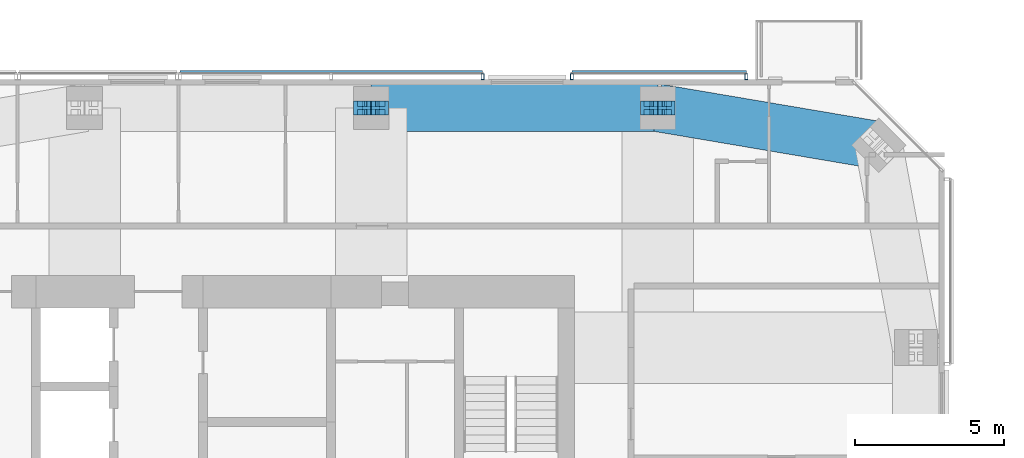
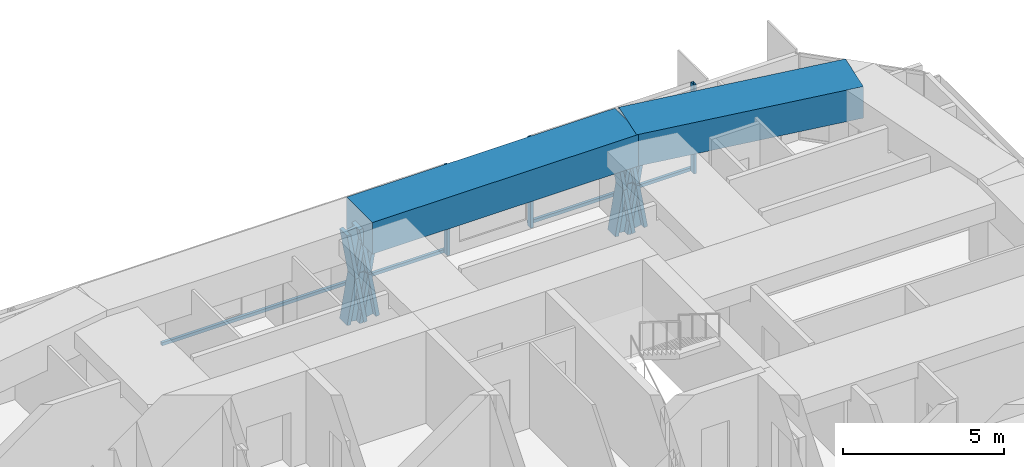
# One storey, part 10 of 18: 13 members, 2 beams, 2 elements without a shape of their own.
"""IFC4 building model written with IfcOpenShell, lengths in metres."""

import ifcopenshell
import ifcopenshell.guid

model = None  # the IFC model being written
_history = None  # IfcOwnerHistory: only IFC2X3 demands one
_inside = {}  # id of a spatial element -> (the spatial element, [elements in it])
_under = {}  # id of a project, library or spatial element -> (it, [spatial elements below it])
_declared = {}  # id of a project -> (the project, [libraries it declares])
_typed = {}  # id of a type object -> (the type object, [elements of that type])
_made_of = {}  # id of a material, layer set ... -> (it, [elements and type objects made of it])


def new_model(schema):
    """Start an empty IFC model of exactly this schema.

    Asked for "IFC4X3", IfcOpenShell would pick the latest addendum, in which some entities
    have other attributes; the version numbers below select the first issue.
    IFC2X3 requires an IfcOwnerHistory on every rooted entity: one is made here for all.
    """
    global model, _history
    if schema == "IFC4X3":
        model = ifcopenshell.file(schema_version=(4, 3, 0, 0))
    else:
        model = ifcopenshell.file(schema=schema)
    _inside.clear()
    _under.clear()
    _declared.clear()
    _typed.clear()
    _made_of.clear()
    _history = None
    if model.schema == "IFC2X3":
        org = make("IfcOrganization", Name="unknown")
        user = make(
            "IfcPersonAndOrganization",
            ThePerson=make("IfcPerson", FamilyName="unknown"),
            TheOrganization=org,
        )
        app = make(
            "IfcApplication",
            ApplicationDeveloper=org,
            Version="unknown",
            ApplicationFullName="unknown",
            ApplicationIdentifier="unknown",
        )
        _history = make(
            "IfcOwnerHistory",
            OwningUser=user,
            OwningApplication=app,
            ChangeAction="ADDED",
            CreationDate=0,
        )
    return model


def make(cls, **values):
    """One entity of the class cls with the attributes given. An attribute that is None is left unset."""
    return model.create_entity(
        cls, **{name: value for name, value in values.items() if value is not None}
    )


def rooted(cls, **values):
    """An entity with a GlobalId (a new one), such as an element, a storey or a relation."""
    return make(cls, GlobalId=ifcopenshell.guid.new(), OwnerHistory=_history, **values)


def si_unit(unit_type, name, prefix=None):
    """IfcSIUnit, for example si_unit("LENGTHUNIT", "METRE", prefix="MILLI")."""
    return make("IfcSIUnit", UnitType=unit_type, Prefix=prefix, Name=name)


def assignment(units):
    """IfcUnitAssignment: the units of a project."""
    return None if units is None else make("IfcUnitAssignment", Units=units)


def point(xyz):
    """IfcCartesianPoint."""
    return None if xyz is None else make("IfcCartesianPoint", Coordinates=xyz)


def direction(xyz):
    """IfcDirection."""
    return None if xyz is None else make("IfcDirection", DirectionRatios=xyz)


def frame(location, z_axis=None, x_axis=None):
    """IfcAxis2Placement3D, a coordinate frame: its origin and axes. An axis left out is left unset."""
    return make(
        "IfcAxis2Placement3D",
        Location=point(location),
        Axis=direction(z_axis),
        RefDirection=direction(x_axis),
    )


def frame_2d(location, x_axis=None):
    """IfcAxis2Placement2D, a coordinate frame in the plane: its origin and x axis."""
    return make(
        "IfcAxis2Placement2D", Location=point(location), RefDirection=direction(x_axis)
    )


def origin():
    """The frame at (0, 0, 0) with its axes left unset."""
    return frame((0.0, 0.0, 0.0))


def origin_2d():
    """The frame at (0, 0) in the plane with its x axis left unset."""
    return frame_2d((0.0, 0.0))


def place(relative_to, where):
    """IfcLocalPlacement: puts the frame where relative to a parent placement (None: the world)."""
    return make(
        "IfcLocalPlacement", PlacementRelTo=relative_to, RelativePlacement=where
    )


def context(
    kind, dimensions, precision=None, world=None, true_north=None, identifier=None
):
    """IfcGeometricRepresentationContext, for example the 3D "Model" context."""
    return make(
        "IfcGeometricRepresentationContext",
        ContextIdentifier=identifier,
        ContextType=kind,
        CoordinateSpaceDimension=dimensions,
        Precision=precision,
        WorldCoordinateSystem=world,
        TrueNorth=true_north,
    )


def subcontext(parent, identifier, kind, view, scale=None):
    """IfcGeometricRepresentationSubContext, for example "Body" below "Model"."""
    return make(
        "IfcGeometricRepresentationSubContext",
        ContextIdentifier=identifier,
        ContextType=kind,
        ParentContext=parent,
        TargetScale=scale,
        TargetView=view,
    )


def project(units=None, contexts=None):
    """IfcProject with its units and contexts."""
    return rooted(
        "IfcProject",
        Name="project",
        RepresentationContexts=contexts,
        UnitsInContext=assignment(units),
    )


def spatial(cls, under=None, at=None, **own):
    """A site, building, storey or space (cls), placed at a placement, below another one or the project."""
    s = rooted(cls, ObjectPlacement=at, **own)
    if under is not None:
        _under.setdefault(under.id(), (under, []))[1].append(s)
    return s


def profile(cls, at=None, kind="AREA", **sizes):
    """A parametric profile (cls). Its sizes go by their IFC names, for example OverallWidth=200.0."""
    return make(cls, ProfileType=kind, Position=at, **sizes)


def rectangle(**sizes):
    """IfcRectangleProfileDef."""
    return profile("IfcRectangleProfileDef", **sizes)


def hollow_rectangle(**sizes):
    """IfcRectangleHollowProfileDef."""
    return profile("IfcRectangleHollowProfileDef", **sizes)


def i_section(**sizes):
    """IfcIShapeProfileDef."""
    return profile("IfcIShapeProfileDef", **sizes)


def extrude(swept, where, along, depth):
    """IfcExtrudedAreaSolid: the profile swept, set in the frame where, extruded along a direction by depth."""
    return make(
        "IfcExtrudedAreaSolid",
        SweptArea=swept,
        Position=where,
        ExtrudedDirection=direction(along),
        Depth=depth,
    )


def shape(context_of_items, identifier, shape_type, items):
    """IfcShapeRepresentation: the items that make up one representation, for example the "Body"."""
    return make(
        "IfcShapeRepresentation",
        ContextOfItems=context_of_items,
        RepresentationIdentifier=identifier,
        RepresentationType=shape_type,
        Items=items,
    )


def material(Name=None, Category=None):
    """IfcMaterial."""
    return make("IfcMaterial", Name=Name, Category=Category)


def material_profile(
    of_material, cross_section, Name=None, Category=None, Priority=None
):
    """IfcMaterialProfile: a cross section and its material."""
    return make(
        "IfcMaterialProfile",
        Name=Name,
        Material=of_material,
        Profile=cross_section,
        Priority=Priority,
        Category=Category,
    )


def profile_set(profiles, Name=None, composite=None):
    """IfcMaterialProfileSet."""
    return make(
        "IfcMaterialProfileSet",
        Name=Name,
        MaterialProfiles=profiles,
        CompositeProfile=composite,
    )


def made_of(thing, what):
    """Note that an element or type object is made of a material, layer set ...; save() writes the relation."""
    if what is not None:
        _made_of.setdefault(what.id(), (what, []))[1].append(thing)
    return thing


def type_object(cls, material=None, **own):
    """A type object (cls), such as IfcWallType, which elements share."""
    return made_of(rooted(cls, **own), material)


def element(
    cls,
    number,
    at=None,
    inside=None,
    cuts=None,
    type_object=None,
    material=None,
    context=None,
    identifier="Body",
    shape_type=None,
    held_by="IfcProductDefinitionShape",
    body=None,
    shapes=None,
    **own,
):
    """One element of the class cls, such as IfcWall. Its Tag is "e" and its number.

    at: its placement. inside: the storey or other place that contains it. cuts: it is an
    opening in that element (IfcRelVoidsElement). A single representation is given by context,
    identifier, shape_type and body (its items); several are given by shapes. held_by: the class
    of the entity that holds the representations. save() writes the other relations.
    """
    e = rooted(cls, Tag="e%d" % number, ObjectPlacement=at, **own)
    if body is not None:
        shapes = [shape(context, identifier, shape_type, body)]
    if shapes is not None:
        e.Representation = make(held_by, Representations=shapes)
    if inside is not None:
        _inside.setdefault(inside.id(), (inside, []))[1].append(e)
    if cuts is not None:
        rooted(
            "IfcRelVoidsElement", RelatingBuildingElement=cuts, RelatedOpeningElement=e
        )
    if type_object is not None:
        _typed.setdefault(type_object.id(), (type_object, []))[1].append(e)
    return made_of(e, material)


def aggregate(whole, parts):
    """IfcRelAggregates: a whole, such as a stair, and the parts it consists of."""
    return rooted("IfcRelAggregates", RelatingObject=whole, RelatedObjects=parts)


def save(model, path):
    """Write the relations noted so far, then the file.

    IfcRelAggregates (storeys below a building ...), IfcRelContainedInSpatialStructure (elements
    in a storey), IfcRelDefinesByType, IfcRelAssociatesMaterial and IfcRelDeclares: one each for
    every whole, place, type object, material and project.
    """
    for whole, parts in _under.values():
        aggregate(whole, parts)
    for where, things in _inside.values():
        rooted(
            "IfcRelContainedInSpatialStructure",
            RelatedElements=things,
            RelatingStructure=where,
        )
    for kind, things in _typed.values():
        rooted("IfcRelDefinesByType", RelatedObjects=things, RelatingType=kind)
    for what, things in _made_of.values():
        rooted("IfcRelAssociatesMaterial", RelatedObjects=things, RelatingMaterial=what)
    for by, libraries in _declared.values():
        rooted("IfcRelDeclares", RelatingContext=by, RelatedDefinitions=libraries)
    model.write(path)


model = new_model("IFC4")

# Units and contexts
model_context = context("Model", 3, precision=1e-05, world=origin(), true_north=direction((0.0, 1.0)))
body_context = subcontext(model_context, "Body", "Model", "MODEL_VIEW")
ifc_project = project(units=[si_unit("LENGTHUNIT", "METRE"), si_unit("AREAUNIT", "SQUARE_METRE"), si_unit("VOLUMEUNIT", "CUBIC_METRE"), si_unit("PLANEANGLEUNIT", "RADIAN"), si_unit("MASSUNIT", "GRAM", prefix="KILO")], contexts=[model_context])

# Site, building, storey
site_placement = place(None, origin())
site = spatial("IfcSite", under=ifc_project, at=site_placement, CompositionType="ELEMENT")
building_placement = place(site_placement, origin())
building = spatial("IfcBuilding", under=site, at=building_placement, Name="Jalousie Tower", CompositionType="ELEMENT")
storey_placement = place(building_placement, frame((0.0, 0.0, 249.449951171875)))
storey = spatial("IfcBuildingStorey", under=building, at=storey_placement, Name="L68", CompositionType="ELEMENT", Elevation=249.449951171875)

# Members
ifc_material_1 = material(Name="Steel ASTM A992 Grade 50", Category="steel")
ifc_material_profile_1 = material_profile(ifc_material_1, i_section(OverallWidth=0.472412109375, OverallDepth=0.5791015625, WebThickness=0.094970703125, FlangeThickness=0.1298828125, at=origin_2d()), Name="W14X808")
ifc_profile_set_1 = profile_set([ifc_material_profile_1], Name="Steel ASTM A992 Grade 50")
member_type_1 = type_object("IfcMemberType", Name="PERIMETER BRACE W14X808", PredefinedType="BRACE", material=ifc_profile_set_1)
for number, where, z_axis, x_axis, name in (
    (1, (46.574951171875, 33.050048828125, -0.599853515625), (0.168990530437, 0.0, 0.98561767467), (0.0, 1.0, 0.0), "Perimeter brace 09 L68 part 1"),
    (2, (46.875, 33.050048828125, 1.150146484375), (0.168990530437, 0.0, 0.98561767467), (0.0, 1.0, 0.0), "Perimeter brace 09 L68 part 2"),
    (3, (47.175048828125, 33.050048828125, -0.599853515625), (-0.168990530437, 0.0, 0.98561767467), (0.0, -1.0, 0.0), "Perimeter brace 09 L68 part 3"),
    (4, (46.875, 33.050048828125, 1.150146484375), (-0.168990530437, 0.0, 0.98561767467), (0.0, -1.0, 0.0), "Perimeter brace 09 L68 part 4"),
    (5, (36.949951171875, 33.050048828125, -0.599853515625), (0.168990530437, 0.0, 0.98561767467), (0.0, 1.0, 0.0), "Perimeter brace 10 L68 part 1"),
    (6, (37.25, 33.050048828125, 1.150146484375), (0.168990530437, 0.0, 0.98561767467), (0.0, 1.0, 0.0), "Perimeter brace 10 L68 part 2"),
    (7, (37.550048828125, 33.050048828125, -0.599853515625), (-0.168990530437, 0.0, 0.98561767467), (0.0, -1.0, 0.0), "Perimeter brace 10 L68 part 3"),
    (8, (37.25, 33.050048828125, 1.150146484375), (-0.168990530437, 0.0, 0.98561767467), (0.0, -1.0, 0.0), "Perimeter brace 10 L68 part 4"),
):
    element("IfcMember", number, at=place(storey_placement, frame(where, z_axis=z_axis, x_axis=x_axis)), inside=storey, type_object=member_type_1, Name=name, PredefinedType="BRACE", context=body_context, shape_type="SweptSolid", body=[
        extrude(i_section(OverallWidth=0.472412109375, OverallDepth=0.5791015625, WebThickness=0.094970703125, FlangeThickness=0.1298828125, at=origin_2d()), origin(), (0.0, 0.0, 1.0), 1.775634765625),
    ])

# Beams
ifc_material_2 = material(Name="Concrete f'c 40 MPa", Category="concrete")
ifc_material_profile_2 = material_profile(ifc_material_2, rectangle(XDim=1.60009765625, YDim=1.199951171875, at=origin_2d()), Name="RC 1600x1200")
ifc_profile_set_2 = profile_set([ifc_material_profile_2], Name="Concrete f'c 40 MPa")
beam_type = type_object("IfcBeamType", Name="RC BEAM 1600x1200", PredefinedType="BEAM", material=ifc_profile_set_2)
beam_1_placement = place(storey_placement, frame((54.29296875, 31.79296875, 2.900146484375), z_axis=(-0.985942997446, 0.167082033105, 0.0), x_axis=(-0.167082033105, -0.985942997446, 0.0)))
element("IfcBeam", 9, at=beam_1_placement, inside=storey, type_object=beam_type, Name="Edge band beam 08-09 under L69", PredefinedType="BEAM", context=body_context, shape_type="SweptSolid", body=[
    extrude(rectangle(XDim=1.60009765625, YDim=1.199951171875, at=origin_2d()), origin(), (0.0, 0.0, 1.0), 7.523681640625),
])
beam_2_placement = place(storey_placement, frame((46.875, 33.050048828125, 2.900146484375), z_axis=(-1.0, 0.0, 0.0), x_axis=(0.0, -1.0, 0.0)))
element("IfcBeam", 10, at=beam_2_placement, inside=storey, type_object=beam_type, Name="Edge band beam 09-10 under L69", PredefinedType="BEAM", context=body_context, shape_type="SweptSolid", body=[
    extrude(rectangle(XDim=1.60009765625, YDim=1.199951171875, at=origin_2d()), origin(), (0.0, 0.0, 1.0), 9.625),
])

# Curtain wall, members
ifc_material_3 = material(Name="Perforated aluminium sheet", Category="aluminium")
curtain_wall_type = type_object("IfcCurtainWallType", Name="SOLAR SCREEN SS-2", PredefinedType="USERDEFINED", material=ifc_material_3)
curtain_wall_1_placement = place(storey_placement, origin())
curtain_wall_1 = element("IfcCurtainWall", 11, at=curtain_wall_1_placement, inside=storey, type_object=curtain_wall_type, Name="Solar screen L68", ObjectType="SOLAR SCREEN SS-2", PredefinedType="USERDEFINED")
ifc_material_4 = material(Name="Steel ASTM A500 Grade C", Category="steel")
ifc_material_profile_3 = material_profile(ifc_material_4, hollow_rectangle(XDim=0.1015625, YDim=0.203125, WallThickness=0.0078125, at=origin_2d()), Name="HSS8X4X5/16")
ifc_profile_set_3 = profile_set([ifc_material_profile_3], Name="Steel ASTM A500 Grade C")
member_type_2 = type_object("IfcMemberType", Name="SOLAR SCREEN SS-2 MULLION", PredefinedType="MULLION", material=ifc_profile_set_3)
member_1_placement = place(storey_placement, frame((49.8486328125, 34.0966796875, -0.119873046875), z_axis=(0.0, 0.0, 1.0), x_axis=(-1.0, 0.0, 0.0)))
member_1 = element("IfcMember", 12, at=member_1_placement, type_object=member_type_2, Name="SS2 post 1", PredefinedType="MULLION", context=body_context, shape_type="SweptSolid", body=[
    extrude(hollow_rectangle(XDim=0.1015625, YDim=0.203125, WallThickness=0.0078125, at=origin_2d()), origin(), (0.0, 0.0, 1.0), 3.3798828125),
])
member_2_placement = place(storey_placement, frame((43.98876953125, 34.0966796875, -0.119873046875), z_axis=(0.0, 0.0, 1.0), x_axis=(-1.0, 0.0, 0.0)))
member_2 = element("IfcMember", 13, at=member_2_placement, type_object=member_type_2, Name="SS2 post 2", PredefinedType="MULLION", context=body_context, shape_type="SweptSolid", body=[
    extrude(hollow_rectangle(XDim=0.1015625, YDim=0.203125, WallThickness=0.0078125, at=origin_2d()), origin(), (0.0, 0.0, 1.0), 3.3798828125),
])

# Curtain wall, member
curtain_wall_2_placement = place(storey_placement, origin())
curtain_wall_2 = element("IfcCurtainWall", 14, at=curtain_wall_2_placement, inside=storey, type_object=curtain_wall_type, Name="Solar screen L68", ObjectType="SOLAR SCREEN SS-2", PredefinedType="USERDEFINED")
member_3_placement = place(storey_placement, frame((40.98876953125, 34.0966796875, -0.119873046875), z_axis=(0.0, 0.0, 1.0), x_axis=(-1.0, 0.0, 0.0)))
member_3 = element("IfcMember", 15, at=member_3_placement, type_object=member_type_2, Name="SS2 post 1", PredefinedType="MULLION", context=body_context, shape_type="SweptSolid", body=[
    extrude(hollow_rectangle(XDim=0.1015625, YDim=0.203125, WallThickness=0.0078125, at=origin_2d()), origin(), (0.0, 0.0, 1.0), 3.3798828125),
])

# Member
ifc_material_5 = material(Name="Extruded aluminium screen rail", Category="aluminium")
ifc_material_profile_4 = material_profile(ifc_material_5, rectangle(XDim=0.1015625, YDim=0.1201171875, at=origin_2d()), Name="RAIL 102x120")
ifc_profile_set_4 = profile_set([ifc_material_profile_4], Name="Extruded aluminium screen rail")
member_type_3 = type_object("IfcMemberType", Name="SOLAR SCREEN SS-2 TRANSOM", PredefinedType="USERDEFINED", material=ifc_profile_set_4)
member_4_placement = place(storey_placement, frame((49.8486328125, 34.2490234375, -0.06005859375), z_axis=(-1.0, 0.0, 0.0), x_axis=(0.0, -1.0, 0.0)))
member_4 = element("IfcMember", 16, at=member_4_placement, type_object=member_type_3, Name="SS2 rail", ObjectType="TRANSOM", PredefinedType="USERDEFINED", context=body_context, shape_type="SweptSolid", body=[
    extrude(rectangle(XDim=0.1015625, YDim=0.1201171875, at=origin_2d()), origin(), (0.0, 0.0, 1.0), 5.85986328125),
])

aggregate(curtain_wall_1, [member_1, member_2, member_4])

member_5_placement = place(storey_placement, frame((40.98876953125, 34.2490234375, -0.06005859375), z_axis=(-1.0, 0.0, 0.0), x_axis=(0.0, -1.0, 0.0)))
member_5 = element("IfcMember", 17, at=member_5_placement, type_object=member_type_3, Name="SS2 rail", ObjectType="TRANSOM", PredefinedType="USERDEFINED", context=body_context, shape_type="SweptSolid", body=[
    extrude(rectangle(XDim=0.1015625, YDim=0.1201171875, at=origin_2d()), origin(), (0.0, 0.0, 1.0), 10.163818359375),
])

aggregate(curtain_wall_2, [member_3, member_5])

save(model, "model.ifc")
